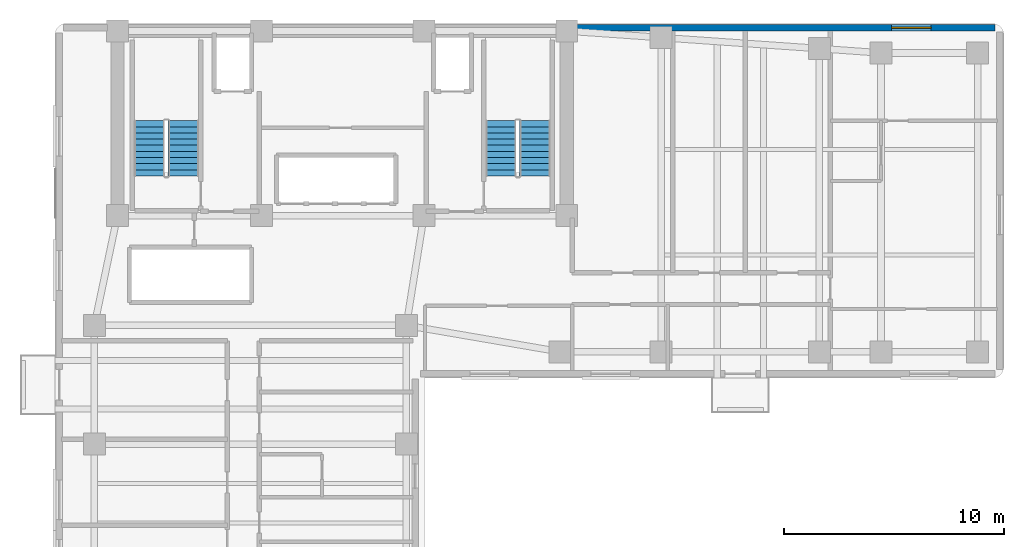
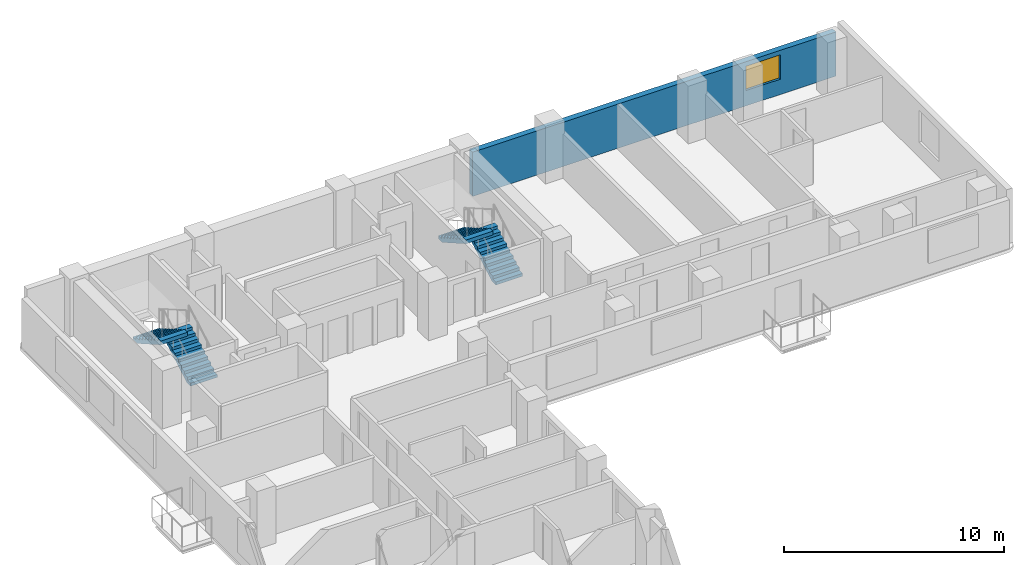
# One storey, part 5 of 7: 4 stair flights, 1 wall, 1 window, 1 opening, 2 elements without a shape of their own.
"""IFC4 building model written with IfcOpenShell, lengths in metres."""

from ifc_helpers import new_model, si_unit, direction, frame, frame_2d, origin, place, context, subcontext, project, spatial, polyline, rectangle, outline, extrude, material, layer, layer_set, type_object, element, fill, aggregate, save


model = new_model("IFC4")

# Units and contexts
model_context = context("Model", 3, precision=1e-05, world=origin(), true_north=direction((0.0, 1.0)))
body_context = subcontext(model_context, "Body", "Model", "MODEL_VIEW")
ifc_project = project(units=[si_unit("LENGTHUNIT", "METRE"), si_unit("AREAUNIT", "SQUARE_METRE"), si_unit("VOLUMEUNIT", "CUBIC_METRE"), si_unit("PLANEANGLEUNIT", "RADIAN"), si_unit("MASSUNIT", "GRAM", prefix="KILO")], contexts=[model_context])

# Site, building, storey
site_placement = place(None, origin())
site = spatial("IfcSite", under=ifc_project, at=site_placement, CompositionType="ELEMENT")
building_placement = place(site_placement, origin())
building = spatial("IfcBuilding", under=site, at=building_placement, Name="Kuzgunbayir Cultural Tower", CompositionType="ELEMENT")
storey_placement = place(building_placement, frame((0.0, 0.0, 145.800048828125)))
storey = spatial("IfcBuildingStorey", under=building, at=storey_placement, Name="L42", CompositionType="ELEMENT", Elevation=145.800048828125)

# Wall, opening, window
ifc_material_1 = material(Name="Anatolian Cream Limestone", Category="masonry")
ifc_layer = layer(ifc_material_1, 0.300048828125)
ifc_layer_set = layer_set([ifc_layer], Name="Anatolian Cream Limestone")
wall_type = type_object("IfcWallType", Name="WAL-EXT-STONE-300", PredefinedType="STANDARD", material=ifc_layer_set)
wall_placement = place(storey_placement, frame((46.39990234375, 42.35009765625, 0.0), z_axis=(0.0, 0.0, 1.0), x_axis=(-1.0, 0.0, 0.0)))
wall = element("IfcWall", 1, at=wall_placement, inside=storey, type_object=wall_type, Name="L42 North Wing B Limestone Wall", PredefinedType="STANDARD", context=body_context, shape_type="SweptSolid", body=[
    extrude(rectangle(XDim=19.0498046875, YDim=0.300048828125, at=frame_2d((9.52490234375, 0.0))), origin(), (0.0, 0.0, 1.0), 2.449951171875),
])
opening_placement = place(wall_placement, frame((2.919921875, 0.0, 0.85009765625)))
opening = element("IfcOpeningElement", 2, at=opening_placement, cuts=wall, Name="Opening WH-18", PredefinedType="OPENING", context=body_context, shape_type="SweptSolid", body=[
    extrude(rectangle(XDim=1.800048828125, YDim=1.35009765625, at=frame_2d((0.89990234375, 0.675048828125))), frame((0.0, 0.16015625, 0.0), z_axis=(0.0, -1.0, 0.0), x_axis=(1.0, 0.0, 0.0)), (0.0, 0.0, 1.0), 0.320068359375),
])
ifc_material_2 = material(Name="Solar-Control Triple Glazing", Category="glass")
window_type = type_object("IfcWindowType", Name="WIN-HOTEL-18", PartitioningType="SINGLE_PANEL", PredefinedType="WINDOW", material=ifc_material_2)
window_placement = place(opening_placement, origin())
window = element("IfcWindow", 3, at=window_placement, inside=storey, type_object=window_type, Name="L42 CRN Facade Window 5", OverallHeight=1.35009765625, OverallWidth=1.800048828125, PartitioningType="SINGLE_PANEL", PredefinedType="WINDOW", context=body_context, shape_type="SweptSolid", body=[
    extrude(rectangle(XDim=1.800048828125, YDim=1.35009765625, at=frame_2d((0.89990234375, 0.675048828125))), frame((0.0, 0.030029296875, 0.0), z_axis=(0.0, -1.0, 0.0), x_axis=(1.0, 0.0, 0.0)), (0.0, 0.0, 1.0), 0.06005859375),
])
fill(opening, window)

# Stair, stair flights
ifc_material_3 = material(Name="Concrete C40/50", Category="concrete")
stair_type = type_object("IfcStairType", Name="STR-EXIT-CORE", PredefinedType="HALF_TURN_STAIR", material=ifc_material_3)
stair_1_placement = place(storey_placement, origin())
stair_1 = element("IfcStair", 4, at=stair_1_placement, inside=storey, type_object=stair_type, Name="L42 ST-1", PredefinedType="HALF_TURN_STAIR")
stair_flight_type = type_object("IfcStairFlightType", Name="STRF-RC-140", PredefinedType="STRAIGHT", material=ifc_material_3)
stair_flight_1_placement = place(storey_placement, frame((9.4599609375, 35.60009765625, 0.0), z_axis=(0.0, 0.0, 1.0), x_axis=(0.0, 1.0, 0.0)))
stair_flight_1 = element("IfcStairFlight", 5, at=stair_flight_1_placement, type_object=stair_flight_type, Name="ST-1 flight 1", NumberOfRisers=10, NumberOfTreads=9, PredefinedType="STRAIGHT", RiserHeight=0.16, TreadLength=0.28, context=body_context, shape_type="SweptSolid", body=[
    extrude(outline(polyline([(0.0, 0.0), (0.0, 0.159912109375), (0.280029296875, 0.159912109375), (0.280029296875, 0.320068359375), (0.56005859375, 0.320068359375), (0.56005859375, 0.47998046875), (0.840087890625, 0.47998046875), (0.840087890625, 0.639892578125), (1.1201171875, 0.639892578125), (1.1201171875, 0.800048828125), (1.39990234375, 0.800048828125), (1.39990234375, 0.9599609375), (1.679931640625, 0.9599609375), (1.679931640625, 1.1201171875), (1.9599609375, 1.1201171875), (1.9599609375, 1.280029296875), (2.239990234375, 1.280029296875), (2.239990234375, 1.43994140625), (2.52001953125, 1.43994140625), (2.52001953125, 1.60009765625), (2.52001953125, 1.232666015625), (0.362548828125, 0.0), (0.0, 0.0)])), frame((0.0, 0.699951171875, 0.0), z_axis=(0.0, -1.0, 0.0), x_axis=(1.0, 0.0, 0.0)), (0.0, 0.0, 1.0), 1.39990234375),
])
stair_flight_2_placement = place(storey_placement, frame((7.89990234375, 38.1201171875, 1.599853515625), z_axis=(0.0, 0.0, 1.0), x_axis=(0.0, -1.0, 0.0)))
stair_flight_2 = element("IfcStairFlight", 6, at=stair_flight_2_placement, type_object=stair_flight_type, Name="ST-1 flight 2", NumberOfRisers=10, NumberOfTreads=9, PredefinedType="STRAIGHT", RiserHeight=0.16, TreadLength=0.28, context=body_context, shape_type="SweptSolid", body=[
    extrude(outline(polyline([(0.0, 0.0), (0.0, 0.159912109375), (0.280029296875, 0.159912109375), (0.280029296875, 0.320068359375), (0.56005859375, 0.320068359375), (0.56005859375, 0.47998046875), (0.840087890625, 0.47998046875), (0.840087890625, 0.639892578125), (1.1201171875, 0.639892578125), (1.1201171875, 0.800048828125), (1.39990234375, 0.800048828125), (1.39990234375, 0.9599609375), (1.679931640625, 0.9599609375), (1.679931640625, 1.1201171875), (1.9599609375, 1.1201171875), (1.9599609375, 1.280029296875), (2.239990234375, 1.280029296875), (2.239990234375, 1.43994140625), (2.52001953125, 1.43994140625), (2.52001953125, 1.60009765625), (2.52001953125, 1.232666015625), (0.362548828125, 0.0), (0.0, 0.0)])), frame((0.0, 0.699951171875, 0.0), z_axis=(0.0, -1.0, 0.0), x_axis=(1.0, 0.0, 0.0)), (0.0, 0.0, 1.0), 1.39990234375),
])
aggregate(stair_1, [stair_flight_1, stair_flight_2])

stair_2_placement = place(storey_placement, origin())
stair_2 = element("IfcStair", 7, at=stair_2_placement, inside=storey, type_object=stair_type, Name="L42 ST-2", PredefinedType="HALF_TURN_STAIR")
stair_flight_3_placement = place(storey_placement, frame((25.4599609375, 35.60009765625, 0.0), z_axis=(0.0, 0.0, 1.0), x_axis=(0.0, 1.0, 0.0)))
stair_flight_3 = element("IfcStairFlight", 8, at=stair_flight_3_placement, type_object=stair_flight_type, Name="ST-2 flight 1", NumberOfRisers=10, NumberOfTreads=9, PredefinedType="STRAIGHT", RiserHeight=0.16, TreadLength=0.28, context=body_context, shape_type="SweptSolid", body=[
    extrude(outline(polyline([(0.0, 0.0), (0.0, 0.159912109375), (0.280029296875, 0.159912109375), (0.280029296875, 0.320068359375), (0.56005859375, 0.320068359375), (0.56005859375, 0.47998046875), (0.840087890625, 0.47998046875), (0.840087890625, 0.639892578125), (1.1201171875, 0.639892578125), (1.1201171875, 0.800048828125), (1.39990234375, 0.800048828125), (1.39990234375, 0.9599609375), (1.679931640625, 0.9599609375), (1.679931640625, 1.1201171875), (1.9599609375, 1.1201171875), (1.9599609375, 1.280029296875), (2.239990234375, 1.280029296875), (2.239990234375, 1.43994140625), (2.52001953125, 1.43994140625), (2.52001953125, 1.60009765625), (2.52001953125, 1.232666015625), (0.362548828125, 0.0), (0.0, 0.0)])), frame((0.0, 0.699951171875, 0.0), z_axis=(0.0, -1.0, 0.0), x_axis=(1.0, 0.0, 0.0)), (0.0, 0.0, 1.0), 1.39990234375),
])
stair_flight_4_placement = place(storey_placement, frame((23.89990234375, 38.1201171875, 1.599853515625), z_axis=(0.0, 0.0, 1.0), x_axis=(0.0, -1.0, 0.0)))
stair_flight_4 = element("IfcStairFlight", 9, at=stair_flight_4_placement, type_object=stair_flight_type, Name="ST-2 flight 2", NumberOfRisers=10, NumberOfTreads=9, PredefinedType="STRAIGHT", RiserHeight=0.16, TreadLength=0.28, context=body_context, shape_type="SweptSolid", body=[
    extrude(outline(polyline([(0.0, 0.0), (0.0, 0.159912109375), (0.280029296875, 0.159912109375), (0.280029296875, 0.320068359375), (0.56005859375, 0.320068359375), (0.56005859375, 0.47998046875), (0.840087890625, 0.47998046875), (0.840087890625, 0.639892578125), (1.1201171875, 0.639892578125), (1.1201171875, 0.800048828125), (1.39990234375, 0.800048828125), (1.39990234375, 0.9599609375), (1.679931640625, 0.9599609375), (1.679931640625, 1.1201171875), (1.9599609375, 1.1201171875), (1.9599609375, 1.280029296875), (2.239990234375, 1.280029296875), (2.239990234375, 1.43994140625), (2.52001953125, 1.43994140625), (2.52001953125, 1.60009765625), (2.52001953125, 1.232666015625), (0.362548828125, 0.0), (0.0, 0.0)])), frame((0.0, 0.699951171875, 0.0), z_axis=(0.0, -1.0, 0.0), x_axis=(1.0, 0.0, 0.0)), (0.0, 0.0, 1.0), 1.39990234375),
])
aggregate(stair_2, [stair_flight_3, stair_flight_4])

save(model, "model.ifc")
